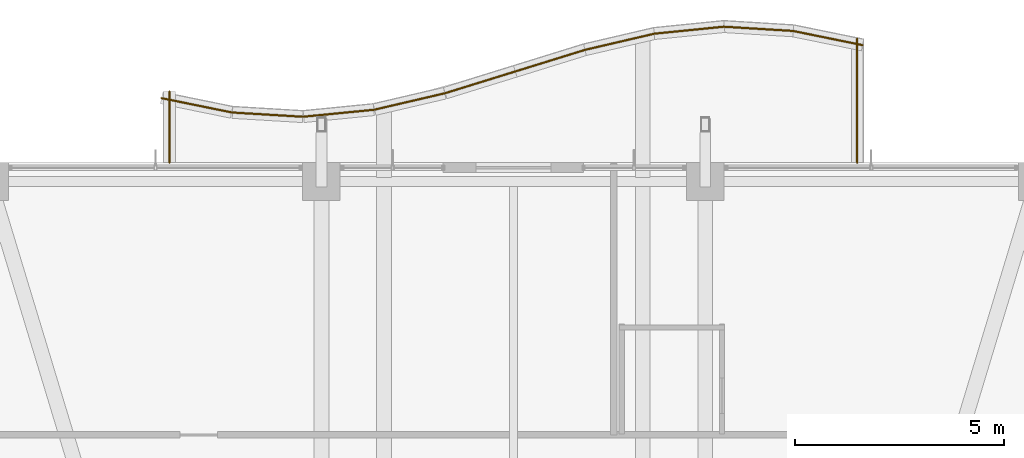
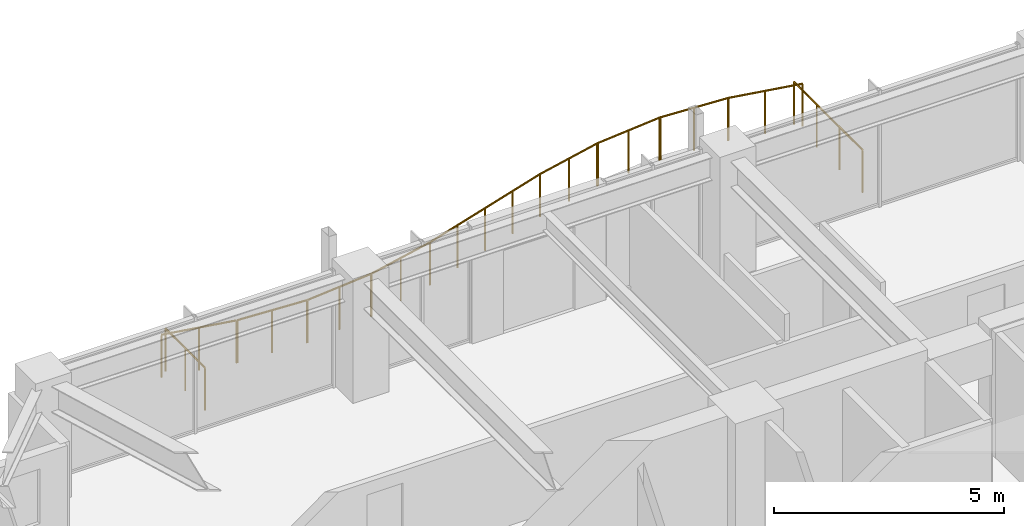
# One storey, part 34 of 34: 12 railings.
"""IFC4 building model written with IfcOpenShell, lengths in metres."""

from ifc_helpers import new_model, si_unit, direction, frame, origin, origin_2d, place, context, subcontext, project, spatial, circle, extrude, material, type_object, element, save


model = new_model("IFC4")

# Units and contexts
model_context = context("Model", 3, precision=1e-05, world=origin(), true_north=direction((0.0, 1.0)))
body_context = subcontext(model_context, "Body", "Model", "MODEL_VIEW")
ifc_project = project(units=[si_unit("LENGTHUNIT", "METRE"), si_unit("AREAUNIT", "SQUARE_METRE"), si_unit("VOLUMEUNIT", "CUBIC_METRE"), si_unit("PLANEANGLEUNIT", "RADIAN"), si_unit("MASSUNIT", "GRAM", prefix="KILO")], contexts=[model_context])

# Site, building, storey
site_placement = place(None, origin())
site = spatial("IfcSite", under=ifc_project, at=site_placement, CompositionType="ELEMENT")
building_placement = place(site_placement, origin())
building = spatial("IfcBuilding", under=site, at=building_placement, Name="Kolvaren Belvedere", CompositionType="ELEMENT")
storey_placement = place(building_placement, frame((0.0, 0.0, 166.800048828125)))
storey = spatial("IfcBuildingStorey", under=building, at=storey_placement, Name="L48", CompositionType="ELEMENT", Elevation=166.800048828125)

# Railings
ifc_material = material(Name="Anodised pale-metal aluminium & laminated glass guard", Category="aluminium")
railing_type = type_object("IfcRailingType", Name="RL-GUARD-1150", PredefinedType="GUARDRAIL", material=ifc_material)
railing_1_placement = place(storey_placement, frame((8.239990234375, 19.10009765625, 0.39990234375)))
element("IfcRailing", 1, at=railing_1_placement, inside=storey, type_object=railing_type, Name="L48 Exterior Deck Safety Guard BAL-N-11", PredefinedType="GUARDRAIL", context=body_context, shape_type="SweptSolid", body=[
    extrude(circle(Radius=0.02392578125, at=origin_2d()), frame((0.0, 0.0, 1.1259765625), z_axis=(0.0, 1.0, 0.0), x_axis=(-1.0, 0.0, 0.0)), (0.0, 0.0, 1.0), 2.974609375),
    extrude(circle(Radius=0.02099609375, at=origin_2d()), origin(), (0.0, 0.0, 1.0), 1.101806640625),
    extrude(circle(Radius=0.02099609375, at=origin_2d()), frame((0.0, 0.991455078125, 0.0)), (0.0, 0.0, 1.0), 1.101806640625),
    extrude(circle(Radius=0.02099609375, at=origin_2d()), frame((0.0, 1.983154296875, 0.0)), (0.0, 0.0, 1.0), 1.101806640625),
    extrude(circle(Radius=0.02099609375, at=origin_2d()), frame((0.0, 2.974609375, 0.0)), (0.0, 0.0, 1.0), 1.101806640625),
])
railing_2_placement = place(storey_placement, frame((8.367919921875, 21.91796875, 0.39990234375)))
element("IfcRailing", 2, at=railing_2_placement, inside=storey, type_object=railing_type, Name="L48 Exterior Deck Safety Guard BAL-N-12", PredefinedType="GUARDRAIL", context=body_context, shape_type="SweptSolid", body=[
    extrude(circle(Radius=0.02392578125, at=origin_2d()), frame((0.0, 0.0, 1.1259765625), z_axis=(-0.979839912937, 0.199784246163, 0.0), x_axis=(-0.199784246163, -0.979839912937, 0.0)), (0.0, 0.0, 1.0), 1.714599609375),
    extrude(circle(Radius=0.02099609375, at=origin_2d()), origin(), (0.0, 0.0, 1.0), 1.101806640625),
    extrude(circle(Radius=0.02099609375, at=origin_2d()), frame((-0.83984375, 0.17138671875, 0.0)), (0.0, 0.0, 1.0), 1.101806640625),
    extrude(circle(Radius=0.02099609375, at=origin_2d()), frame((-1.679931640625, 0.342529296875, 0.0)), (0.0, 0.0, 1.0), 1.101806640625),
])
railing_3_placement = place(storey_placement, frame((6.710205078125, 22.257568359375, 0.39990234375)))
element("IfcRailing", 3, at=railing_3_placement, inside=storey, type_object=railing_type, Name="L48 Exterior Deck Safety Guard BAL-N-13", PredefinedType="GUARDRAIL", context=body_context, shape_type="SweptSolid", body=[
    extrude(circle(Radius=0.02392578125, at=origin_2d()), frame((0.0, 0.0, 1.1259765625), z_axis=(-0.998133560666, 0.061068773295, 0.0), x_axis=(-0.061068773295, -0.998133560666, 0.0)), (0.0, 0.0, 1.0), 1.68310546875),
    extrude(circle(Radius=0.02099609375, at=origin_2d()), origin(), (0.0, 0.0, 1.0), 1.101806640625),
    extrude(circle(Radius=0.02099609375, at=origin_2d()), frame((-0.83984375, 0.05126953125, 0.0)), (0.0, 0.0, 1.0), 1.101806640625),
    extrude(circle(Radius=0.02099609375, at=origin_2d()), frame((-1.679931640625, 0.102783203125, 0.0)), (0.0, 0.0, 1.0), 1.101806640625),
])
railing_4_placement = place(storey_placement, frame((5.055908203125, 22.36083984375, 0.39990234375)))
element("IfcRailing", 4, at=railing_4_placement, inside=storey, type_object=railing_type, Name="L48 Exterior Deck Safety Guard BAL-N-14", PredefinedType="GUARDRAIL", context=body_context, shape_type="SweptSolid", body=[
    extrude(circle(Radius=0.02392578125, at=origin_2d()), frame((0.0, 0.0, 1.1259765625), z_axis=(-0.995024296308, -0.099632573776, 0.0), x_axis=(0.099632573776, -0.995024296308, 0.0)), (0.0, 0.0, 1.0), 1.688232421875),
    extrude(circle(Radius=0.02099609375, at=origin_2d()), origin(), (0.0, 0.0, 1.0), 1.101806640625),
    extrude(circle(Radius=0.02099609375, at=origin_2d()), frame((-0.83984375, -0.083984375, 0.0)), (0.0, 0.0, 1.0), 1.101806640625),
    extrude(circle(Radius=0.02099609375, at=origin_2d()), frame((-1.679931640625, -0.168212890625, 0.0)), (0.0, 0.0, 1.0), 1.101806640625),
])
railing_5_placement = place(storey_placement, frame((3.396240234375, 22.196044921875, 0.39990234375)))
element("IfcRailing", 5, at=railing_5_placement, inside=storey, type_object=railing_type, Name="L48 Exterior Deck Safety Guard BAL-N-15", PredefinedType="GUARDRAIL", context=body_context, shape_type="SweptSolid", body=[
    extrude(circle(Radius=0.02392578125, at=origin_2d()), frame((0.0, 0.0, 1.1259765625), z_axis=(-0.973890253884, -0.227019323824, 0.0), x_axis=(0.227019323824, -0.973890253884, 0.0)), (0.0, 0.0, 1.0), 1.724853515625),
    extrude(circle(Radius=0.02099609375, at=origin_2d()), origin(), (0.0, 0.0, 1.0), 1.101806640625),
    extrude(circle(Radius=0.02099609375, at=origin_2d()), frame((-0.83984375, -0.19580078125, 0.0)), (0.0, 0.0, 1.0), 1.101806640625),
    extrude(circle(Radius=0.02099609375, at=origin_2d()), frame((-1.679931640625, -0.3916015625, 0.0)), (0.0, 0.0, 1.0), 1.101806640625),
])
railing_6_placement = place(storey_placement, frame((1.727294921875, 21.8076171875, 0.39990234375)))
element("IfcRailing", 6, at=railing_6_placement, inside=storey, type_object=railing_type, Name="L48 Exterior Deck Safety Guard BAL-N-16", PredefinedType="GUARDRAIL", context=body_context, shape_type="SweptSolid", body=[
    extrude(circle(Radius=0.02392578125, at=origin_2d()), frame((0.0, 0.0, 1.1259765625), z_axis=(-0.955200894869, -0.295958190359, 0.0), x_axis=(0.295958190359, -0.955200894869, 0.0)), (0.0, 0.0, 1.0), 1.7587890625),
    extrude(circle(Radius=0.02099609375, at=origin_2d()), origin(), (0.0, 0.0, 1.0), 1.101806640625),
    extrude(circle(Radius=0.02099609375, at=origin_2d()), frame((-0.83984375, -0.26025390625, 0.0)), (0.0, 0.0, 1.0), 1.101806640625),
    extrude(circle(Radius=0.02099609375, at=origin_2d()), frame((-1.679931640625, -0.5205078125, 0.0)), (0.0, 0.0, 1.0), 1.101806640625),
])
railing_7_placement = place(storey_placement, frame((0.04736328125, 21.287109375, 0.39990234375)))
element("IfcRailing", 7, at=railing_7_placement, inside=storey, type_object=railing_type, Name="L48 Exterior Deck Safety Guard BAL-N-17", PredefinedType="GUARDRAIL", context=body_context, shape_type="SweptSolid", body=[
    extrude(circle(Radius=0.02392578125, at=origin_2d()), frame((0.0, 0.0, 1.1259765625), z_axis=(-0.955252278476, -0.29579229954, 0.0), x_axis=(0.29579229954, -0.955252278476, 0.0)), (0.0, 0.0, 1.0), 1.7587890625),
    extrude(circle(Radius=0.02099609375, at=origin_2d()), origin(), (0.0, 0.0, 1.0), 1.101806640625),
    extrude(circle(Radius=0.02099609375, at=origin_2d()), frame((-0.840087890625, -0.26025390625, 0.0)), (0.0, 0.0, 1.0), 1.101806640625),
    extrude(circle(Radius=0.02099609375, at=origin_2d()), frame((-1.68017578125, -0.520263671875, 0.0)), (0.0, 0.0, 1.0), 1.101806640625),
])
railing_8_placement = place(storey_placement, frame((-1.643798828125, 20.763916015625, 0.39990234375)))
element("IfcRailing", 8, at=railing_8_placement, inside=storey, type_object=railing_type, Name="L48 Exterior Deck Safety Guard BAL-N-18", PredefinedType="GUARDRAIL", context=body_context, shape_type="SweptSolid", body=[
    extrude(circle(Radius=0.02392578125, at=origin_2d()), frame((0.0, 0.0, 1.1259765625), z_axis=(-0.973890253884, -0.227019323824, 0.0), x_axis=(0.227019323824, -0.973890253884, 0.0)), (0.0, 0.0, 1.0), 1.724853515625),
    extrude(circle(Radius=0.02099609375, at=origin_2d()), origin(), (0.0, 0.0, 1.0), 1.101806640625),
    extrude(circle(Radius=0.02099609375, at=origin_2d()), frame((-0.83984375, -0.19580078125, 0.0)), (0.0, 0.0, 1.0), 1.101806640625),
    extrude(circle(Radius=0.02099609375, at=origin_2d()), frame((-1.679931640625, -0.3916015625, 0.0)), (0.0, 0.0, 1.0), 1.101806640625),
])
railing_9_placement = place(storey_placement, frame((-3.34423828125, 20.368896484375, 0.39990234375)))
element("IfcRailing", 9, at=railing_9_placement, inside=storey, type_object=railing_type, Name="L48 Exterior Deck Safety Guard BAL-N-19", PredefinedType="GUARDRAIL", context=body_context, shape_type="SweptSolid", body=[
    extrude(circle(Radius=0.02392578125, at=origin_2d()), frame((0.0, 0.0, 1.1259765625), z_axis=(-0.995153897624, -0.098329649867, 0.0), x_axis=(0.098329649867, -0.995153897624, 0.0)), (0.0, 0.0, 1.0), 1.6884765625),
    extrude(circle(Radius=0.02099609375, at=origin_2d()), origin(), (0.0, 0.0, 1.0), 1.101806640625),
    extrude(circle(Radius=0.02099609375, at=origin_2d()), frame((-0.840087890625, -0.0830078125, 0.0)), (0.0, 0.0, 1.0), 1.101806640625),
    extrude(circle(Radius=0.02099609375, at=origin_2d()), frame((-1.68017578125, -0.166015625, 0.0)), (0.0, 0.0, 1.0), 1.101806640625),
])
railing_10_placement = place(storey_placement, frame((-5.049560546875, 20.202392578125, 0.39990234375)))
element("IfcRailing", 10, at=railing_10_placement, inside=storey, type_object=railing_type, Name="L48 Exterior Deck Safety Guard BAL-N-20", PredefinedType="GUARDRAIL", context=body_context, shape_type="SweptSolid", body=[
    extrude(circle(Radius=0.02392578125, at=origin_2d()), frame((0.0, 0.0, 1.1259765625), z_axis=(-0.998212296378, 0.059767979379, 0.0), x_axis=(-0.059767979379, -0.998212296378, 0.0)), (0.0, 0.0, 1.0), 1.682861328125),
    extrude(circle(Radius=0.02099609375, at=origin_2d()), origin(), (0.0, 0.0, 1.0), 1.101806640625),
    extrude(circle(Radius=0.02099609375, at=origin_2d()), frame((-0.83984375, 0.05029296875, 0.0)), (0.0, 0.0, 1.0), 1.101806640625),
    extrude(circle(Radius=0.02099609375, at=origin_2d()), frame((-1.679931640625, 0.1005859375, 0.0)), (0.0, 0.0, 1.0), 1.101806640625),
])
railing_11_placement = place(storey_placement, frame((-6.751953125, 20.305908203125, 0.39990234375)))
element("IfcRailing", 11, at=railing_11_placement, inside=storey, type_object=railing_type, Name="L48 Exterior Deck Safety Guard BAL-N-21", PredefinedType="GUARDRAIL", context=body_context, shape_type="SweptSolid", body=[
    extrude(circle(Radius=0.02392578125, at=origin_2d()), frame((0.0, 0.0, 1.1259765625), z_axis=(-0.979839912937, 0.199784246163, 0.0), x_axis=(-0.199784246163, -0.979839912937, 0.0)), (0.0, 0.0, 1.0), 1.714599609375),
    extrude(circle(Radius=0.02099609375, at=origin_2d()), origin(), (0.0, 0.0, 1.0), 1.101806640625),
    extrude(circle(Radius=0.02099609375, at=origin_2d()), frame((-0.83984375, 0.17138671875, 0.0)), (0.0, 0.0, 1.0), 1.101806640625),
    extrude(circle(Radius=0.02099609375, at=origin_2d()), frame((-1.679931640625, 0.342529296875, 0.0)), (0.0, 0.0, 1.0), 1.101806640625),
])
railing_12_placement = place(storey_placement, frame((-8.239990234375, 20.80517578125, 0.39990234375)))
element("IfcRailing", 12, at=railing_12_placement, inside=storey, type_object=railing_type, Name="L48 Exterior Deck Safety Guard BAL-N-22", PredefinedType="GUARDRAIL", context=body_context, shape_type="SweptSolid", body=[
    extrude(circle(Radius=0.02392578125, at=origin_2d()), frame((0.0, 0.0, 1.1259765625), z_axis=(0.0, -1.0, 0.0), x_axis=(1.0, 0.0, 0.0)), (0.0, 0.0, 1.0), 1.705078125),
    extrude(circle(Radius=0.02099609375, at=origin_2d()), origin(), (0.0, 0.0, 1.0), 1.101806640625),
    extrude(circle(Radius=0.02099609375, at=origin_2d()), frame((0.0, -0.8525390625, 0.0)), (0.0, 0.0, 1.0), 1.101806640625),
    extrude(circle(Radius=0.02099609375, at=origin_2d()), frame((0.0, -1.705078125, 0.0)), (0.0, 0.0, 1.0), 1.101806640625),
])

save(model, "model.ifc")
